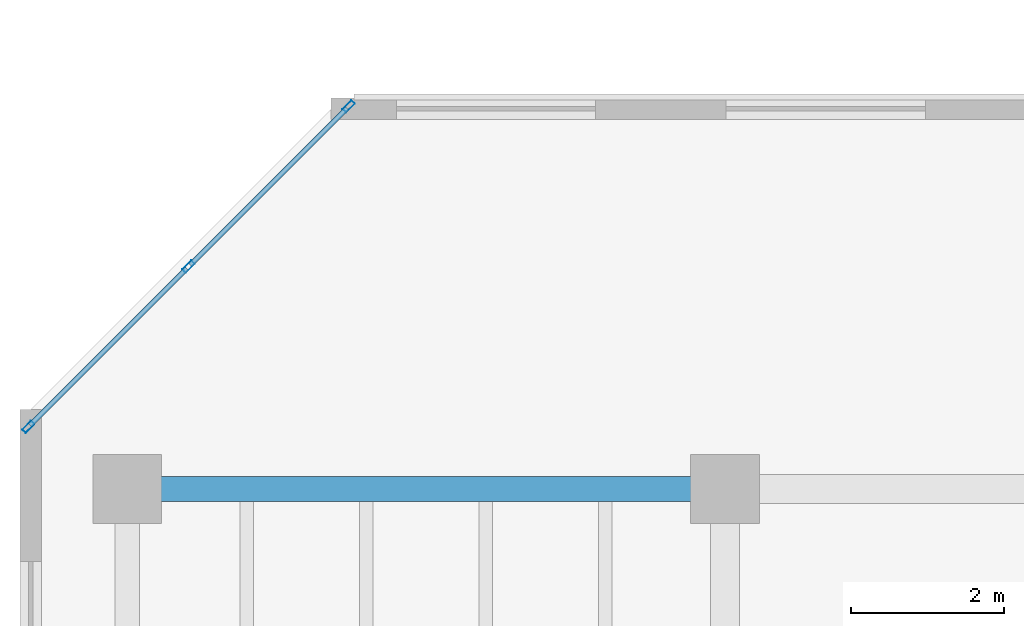
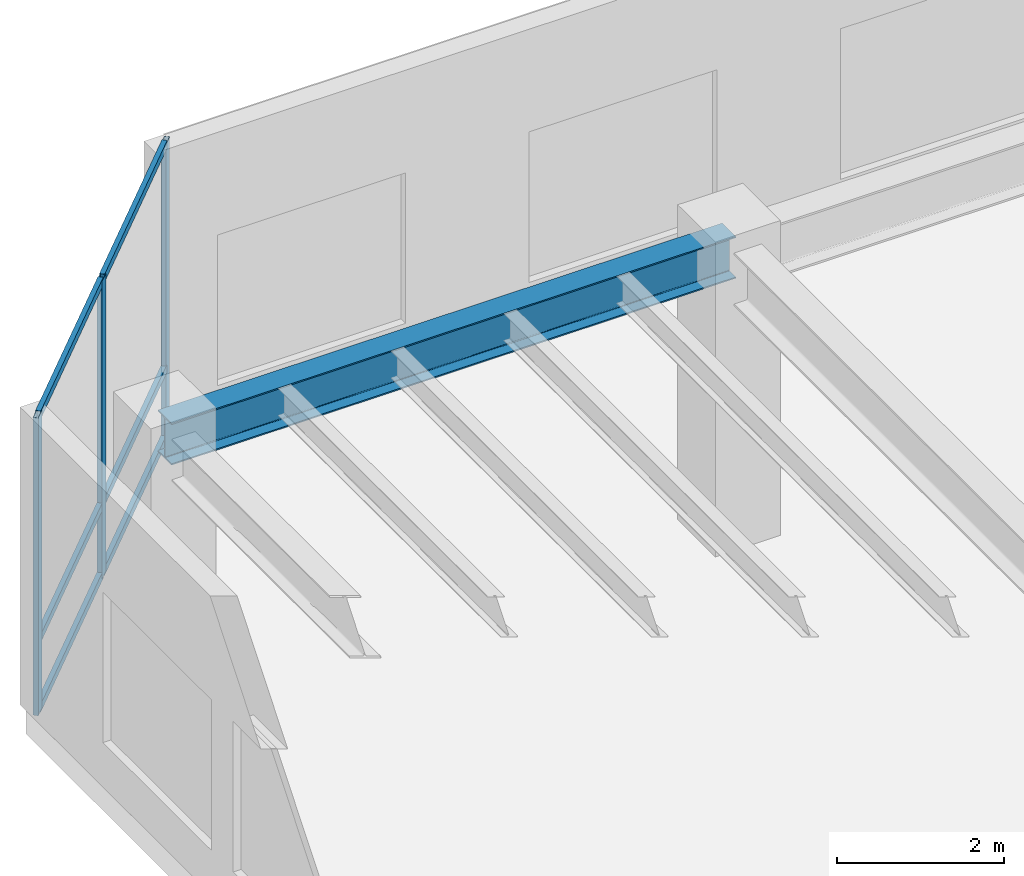
# One storey, part 8 of 20: 9 members, 1 beam, 1 element without a shape of its own.
"""IFC4 building model written with IfcOpenShell, lengths in metres."""

from ifc_helpers import new_model, si_unit, direction, frame, origin, origin_2d, place, context, subcontext, project, spatial, hollow_rectangle, i_section, extrude, material, layer, layer_set, material_profile, profile_set, type_object, element, aggregate, save


model = new_model("IFC4")

# Units and contexts
model_context = context("Model", 3, precision=1e-05, world=origin(), true_north=direction((0.0, 1.0)))
body_context = subcontext(model_context, "Body", "Model", "MODEL_VIEW")
ifc_project = project(units=[si_unit("LENGTHUNIT", "METRE"), si_unit("AREAUNIT", "SQUARE_METRE"), si_unit("VOLUMEUNIT", "CUBIC_METRE"), si_unit("PLANEANGLEUNIT", "RADIAN"), si_unit("MASSUNIT", "GRAM", prefix="KILO")], contexts=[model_context])

# Site, building, storey
site_placement = place(None, origin())
site = spatial("IfcSite", under=ifc_project, at=site_placement, CompositionType="ELEMENT")
building_placement = place(site_placement, origin())
building = spatial("IfcBuilding", under=site, at=building_placement, Name="Kestravale Grand Hotel", CompositionType="ELEMENT")
storey_placement = place(building_placement, frame((0.0, 0.0, 231.89990234375)))
storey = spatial("IfcBuildingStorey", under=building, at=storey_placement, Name="L58", CompositionType="ELEMENT", Elevation=231.89990234375)

# Beam
ifc_material_1 = material(Name="Steel ASTM A992 Grade 50", Category="steel")
ifc_material_profile_1 = material_profile(ifc_material_1, i_section(OverallWidth=0.324951171875, OverallDepth=0.612060546875, WebThickness=0.0126953125, FlangeThickness=0.01904296875, FilletRadius=0.018798828125, at=origin_2d()))
ifc_profile_set_1 = profile_set([ifc_material_profile_1], Name="Steel ASTM A992 Grade 50")
beam_type = type_object("IfcBeamType", Name="B-FLR-W24A", PredefinedType="SPANDREL", material=ifc_profile_set_1)
beam_placement = place(storey_placement, frame((7.800048828125, 38.39990234375, 4.044189453125), z_axis=(1.0, 0.0, 0.0), x_axis=(0.0, 1.0, 0.0)))
element("IfcBeam", 1, at=beam_placement, inside=storey, type_object=beam_type, Name="L58 spandrel F:2-3", PredefinedType="SPANDREL", context=body_context, shape_type="SweptSolid", body=[
    extrude(i_section(OverallWidth=0.324951171875, OverallDepth=0.612060546875, WebThickness=0.0126953125, FlangeThickness=0.01904296875, FilletRadius=0.018798828125, at=origin_2d()), origin(), (0.0, 0.0, 1.0), 7.800048828125),
])

# Curtain wall, members
ifc_material_2 = material(Name="Thermally broken champagne-bronze aluminium and low-E glazing", Category="aluminium")
ifc_layer = layer(ifc_material_2, 0.179931640625)
ifc_layer_set = layer_set([ifc_layer], Name="CW-Z3")
curtain_wall_type = type_object("IfcCurtainWallType", Name="CW-Z3", PredefinedType="NOTDEFINED", material=ifc_layer_set)
curtain_wall_placement = place(storey_placement, origin())
curtain_wall = element("IfcCurtainWall", 2, at=curtain_wall_placement, inside=storey, type_object=curtain_wall_type, Name="L58 unitised curtain wall 18", PredefinedType="NOTDEFINED")
ifc_material_3 = material(Name="Aluminium 6063-T6 anodised", Category="aluminium")
ifc_material_profile_2 = material_profile(ifc_material_3, hollow_rectangle(XDim=0.06494140625, YDim=0.1650390625, WallThickness=0.00341796875, at=origin_2d()))
ifc_profile_set_2 = profile_set([ifc_material_profile_2], Name="Aluminium 6063-T6 anodised")
member_type_1 = type_object("IfcMemberType", Name="CW-MUL-165", PredefinedType="MULLION", material=ifc_profile_set_2)
member_1_placement = place(storey_placement, frame((10.690185546875, 43.392333984375, 0.0), z_axis=(0.0, 0.0, 1.0), x_axis=(0.707106781187, -0.707106781187, 0.0)))
member_1 = element("IfcMember", 3, at=member_1_placement, type_object=member_type_1, Name="CW-Z3 mullion 1", PredefinedType="MULLION", context=body_context, shape_type="SweptSolid", body=[
    extrude(hollow_rectangle(XDim=0.06494140625, YDim=0.1650390625, WallThickness=0.00341796875, at=origin_2d()), origin(), (0.0, 0.0, 1.0), 4.35009765625),
])
member_2_placement = place(storey_placement, frame((8.59912109375, 41.301025390625, 0.0), z_axis=(0.0, 0.0, 1.0), x_axis=(0.707106781187, -0.707106781187, 0.0)))
member_2 = element("IfcMember", 4, at=member_2_placement, type_object=member_type_1, Name="CW-Z3 mullion 2", PredefinedType="MULLION", context=body_context, shape_type="SweptSolid", body=[
    extrude(hollow_rectangle(XDim=0.06494140625, YDim=0.1650390625, WallThickness=0.00341796875, at=origin_2d()), origin(), (0.0, 0.0, 1.0), 4.35009765625),
])
member_3_placement = place(storey_placement, frame((6.5078125, 39.209716796875, 0.0), z_axis=(0.0, 0.0, 1.0), x_axis=(0.707106781187, -0.707106781187, 0.0)))
member_3 = element("IfcMember", 5, at=member_3_placement, type_object=member_type_1, Name="CW-Z3 mullion 3", PredefinedType="MULLION", context=body_context, shape_type="SweptSolid", body=[
    extrude(hollow_rectangle(XDim=0.06494140625, YDim=0.1650390625, WallThickness=0.00341796875, at=origin_2d()), origin(), (0.0, 0.0, 1.0), 4.35009765625),
])
ifc_material_4 = material(Name="Aluminium 6063-T6 anodised", Category="aluminium")
ifc_material_profile_3 = material_profile(ifc_material_4, hollow_rectangle(XDim=0.06494140625, YDim=0.114990234375, WallThickness=0.003173828125, at=origin_2d()))
ifc_profile_set_3 = profile_set([ifc_material_profile_3], Name="Aluminium 6063-T6 anodised")
member_type_2 = type_object("IfcMemberType", Name="CW-TRN-115", PredefinedType="USERDEFINED", material=ifc_profile_set_3)
member_4_placement = place(storey_placement, frame((10.667236328125, 43.369140625, 0.03271484375), z_axis=(-0.707106781187, -0.707106781187, 0.0), x_axis=(0.707106781187, -0.707106781187, 0.0)))
member_4 = element("IfcMember", 6, at=member_4_placement, type_object=member_type_2, Name="CW-Z3 transom 1.1", ObjectType="TRANSOM", PredefinedType="USERDEFINED", context=body_context, shape_type="SweptSolid", body=[
    extrude(hollow_rectangle(XDim=0.06494140625, YDim=0.114990234375, WallThickness=0.003173828125, at=origin_2d()), origin(), (0.0, 0.0, 1.0), 2.892333984375),
])
member_5_placement = place(storey_placement, frame((10.667236328125, 43.369140625, 1.050048828125), z_axis=(-0.707106781187, -0.707106781187, 0.0), x_axis=(0.707106781187, -0.707106781187, 0.0)))
member_5 = element("IfcMember", 7, at=member_5_placement, type_object=member_type_2, Name="CW-Z3 transom 1.2", ObjectType="TRANSOM", PredefinedType="USERDEFINED", context=body_context, shape_type="SweptSolid", body=[
    extrude(hollow_rectangle(XDim=0.06494140625, YDim=0.114990234375, WallThickness=0.003173828125, at=origin_2d()), origin(), (0.0, 0.0, 1.0), 2.892333984375),
])
member_6_placement = place(storey_placement, frame((10.667236328125, 43.369140625, 4.317626953125), z_axis=(-0.707106781187, -0.707106781187, 0.0), x_axis=(0.707106781187, -0.707106781187, 0.0)))
member_6 = element("IfcMember", 8, at=member_6_placement, type_object=member_type_2, Name="CW-Z3 transom 1.3", ObjectType="TRANSOM", PredefinedType="USERDEFINED", context=body_context, shape_type="SweptSolid", body=[
    extrude(hollow_rectangle(XDim=0.06494140625, YDim=0.114990234375, WallThickness=0.003173828125, at=origin_2d()), origin(), (0.0, 0.0, 1.0), 2.892333984375),
])
member_7_placement = place(storey_placement, frame((8.575927734375, 41.278076171875, 0.03271484375), z_axis=(-0.707064577195, -0.707148982659, 0.0), x_axis=(0.707148982659, -0.707064577195, 0.0)))
member_7 = element("IfcMember", 9, at=member_7_placement, type_object=member_type_2, Name="CW-Z3 transom 2.1", ObjectType="TRANSOM", PredefinedType="USERDEFINED", context=body_context, shape_type="SweptSolid", body=[
    extrude(hollow_rectangle(XDim=0.06494140625, YDim=0.114990234375, WallThickness=0.003173828125, at=origin_2d()), origin(), (0.0, 0.0, 1.0), 2.892578125),
])
member_8_placement = place(storey_placement, frame((8.575927734375, 41.278076171875, 1.050048828125), z_axis=(-0.707064577195, -0.707148982659, 0.0), x_axis=(0.707148982659, -0.707064577195, 0.0)))
member_8 = element("IfcMember", 10, at=member_8_placement, type_object=member_type_2, Name="CW-Z3 transom 2.2", ObjectType="TRANSOM", PredefinedType="USERDEFINED", context=body_context, shape_type="SweptSolid", body=[
    extrude(hollow_rectangle(XDim=0.06494140625, YDim=0.114990234375, WallThickness=0.003173828125, at=origin_2d()), origin(), (0.0, 0.0, 1.0), 2.892578125),
])
member_9_placement = place(storey_placement, frame((8.575927734375, 41.278076171875, 4.317626953125), z_axis=(-0.707064577195, -0.707148982659, 0.0), x_axis=(0.707148982659, -0.707064577195, 0.0)))
member_9 = element("IfcMember", 11, at=member_9_placement, type_object=member_type_2, Name="CW-Z3 transom 2.3", ObjectType="TRANSOM", PredefinedType="USERDEFINED", context=body_context, shape_type="SweptSolid", body=[
    extrude(hollow_rectangle(XDim=0.06494140625, YDim=0.114990234375, WallThickness=0.003173828125, at=origin_2d()), origin(), (0.0, 0.0, 1.0), 2.892578125),
])
aggregate(curtain_wall, [member_1, member_2, member_3, member_4, member_5, member_6, member_7, member_8, member_9])

save(model, "model.ifc")
